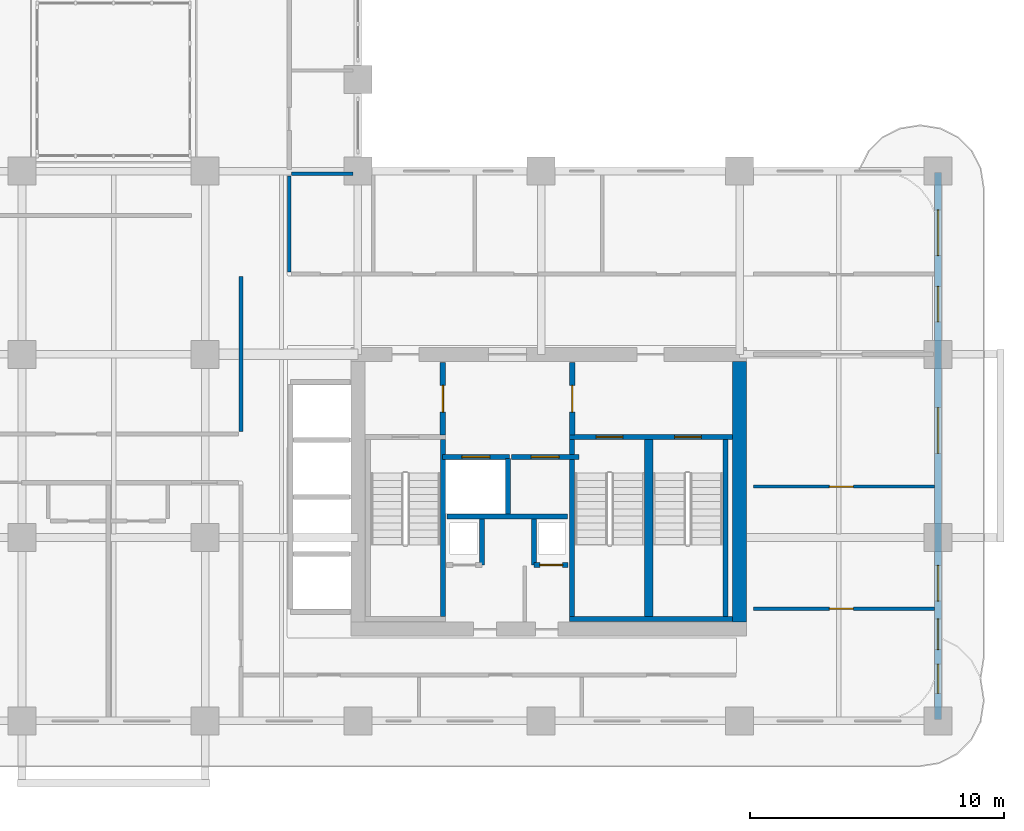
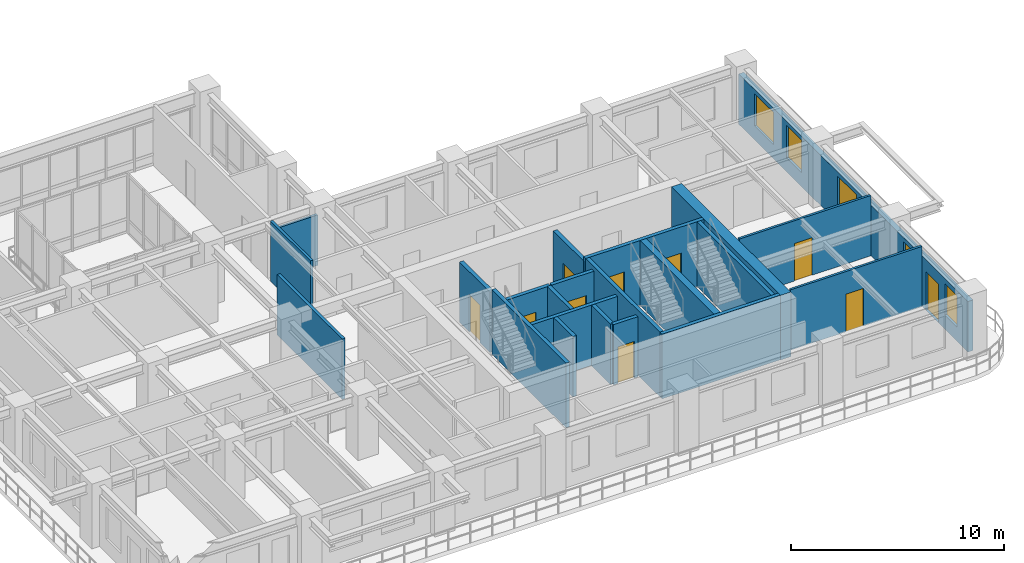
# One storey, part 14 of 22: 22 walls, 10 doors, 5 windows, 15 openings.
"""IFC4 building model written with IfcOpenShell, lengths in metres."""

from ifc_helpers import new_model, si_unit, derived_unit, direction, frame, frame_2d, origin, place, context, subcontext, project, spatial, rectangle, extrude, source, transform, mapped, material, layer, layer_set, type_object, type_shapes, element, fill, save


model = new_model("IFC4")

# Units and contexts
model_context = context("Model", 3, precision=1e-05, world=origin(), true_north=direction((0.0, 1.0)))
body_context = subcontext(model_context, "Body", "Model", "MODEL_VIEW")
ifc_project = project(units=[si_unit("LENGTHUNIT", "METRE"), si_unit("AREAUNIT", "SQUARE_METRE"), si_unit("VOLUMEUNIT", "CUBIC_METRE"), si_unit("PLANEANGLEUNIT", "RADIAN"), si_unit("MASSUNIT", "GRAM", prefix="KILO"), si_unit("THERMODYNAMICTEMPERATUREUNIT", "KELVIN"), si_unit("POWERUNIT", "WATT"), derived_unit("THERMALTRANSMITTANCEUNIT", [(si_unit("POWERUNIT", "WATT"), 1), (si_unit("AREAUNIT", "SQUARE_METRE"), -1), (si_unit("THERMODYNAMICTEMPERATUREUNIT", "KELVIN"), -1)])], contexts=[model_context])

# Site, building, storey
site_placement = place(None, origin())
site = spatial("IfcSite", under=ifc_project, at=site_placement, CompositionType="ELEMENT")
building_placement = place(site_placement, origin())
building = spatial("IfcBuilding", under=site, at=building_placement, Name="Zahravan Archway Hotel and Residences", CompositionType="ELEMENT")
storey_placement = place(building_placement, frame((0.0, 0.0, 73.10009765625)))
storey = spatial("IfcBuildingStorey", under=building, at=storey_placement, Name="L17", CompositionType="ELEMENT", Elevation=73.10009765625)

# Wall
ifc_material_1 = material(Name="Concrete C70/85", Category="concrete")
ifc_layer_1 = layer(ifc_material_1, 0.550048828125, Name="Concrete C70/85", Category="concrete")
ifc_layer_set_1 = layer_set([ifc_layer_1], Name="Concrete C70/85")
wall_type_1 = type_object("IfcWallType", Name="CW-CORE-550", PredefinedType="SHEAR", material=ifc_layer_set_1)
wall_1_placement = place(storey_placement, frame((49.800048828125, 3.875, 0.0), z_axis=(0.0, 0.0, 1.0), x_axis=(0.0, 1.0, 0.0)))
element("IfcWall", 1, at=wall_1_placement, inside=storey, type_object=wall_type_1, Name="L17 Core A Shear E Wall 550 mm", PredefinedType="SHEAR", context=body_context, shape_type="SweptSolid", body=[
    extrude(rectangle(XDim=10.25, YDim=0.550048828125, at=frame_2d((5.125, 0.0))), origin(), (0.0, 0.0, 1.0), 3.699951171875),
])

# Wall, openings, door, windows
ifc_material_2 = material(Name="Honed Red-Ochre Sandstone & Insulated Block", Category="masonry")
ifc_layer_2 = layer(ifc_material_2, 0.280029296875, Name="Honed Red-Ochre Sandstone & Insulated Block", Category="masonry")
ifc_layer_set_2 = layer_set([ifc_layer_2], Name="Honed Red-Ochre Sandstone & Insulated Block")
wall_type_2 = type_object("IfcWallType", Name="EW-LOG-280", PredefinedType="SOLIDWALL", material=ifc_layer_set_2)
wall_2_placement = place(storey_placement, frame((57.60009765625, 0.050048828125, 0.0), z_axis=(0.0, 0.0, 1.0), x_axis=(0.0, 1.0, 0.0)))
wall_2 = element("IfcWall", 2, at=wall_2_placement, inside=storey, type_object=wall_type_2, Name="L17 Exterior Sandstone Wall WA-E", PredefinedType="SOLIDWALL", context=body_context, shape_type="SweptSolid", body=[
    extrude(rectangle(XDim=21.5, YDim=0.280029296875, at=frame_2d((10.75, 0.0))), origin(), (0.0, 0.0, 1.0), 2.885009765625),
])
opening_1_placement = place(wall_2_placement, frame((2.75, 0.0, 0.0)))
opening_1 = element("IfcOpeningElement", 3, at=opening_1_placement, cuts=wall_2, Name="Opening ED-BL1", PredefinedType="OPENING", context=body_context, shape_type="SweptSolid", body=[
    extrude(rectangle(XDim=1.199951171875, YDim=2.199951171875, at=frame_2d((0.60009765625, 1.10009765625))), frame((0.0, 0.14990234375, 0.0), z_axis=(0.0, -1.0, 0.0), x_axis=(1.0, 0.0, 0.0)), (0.0, 0.0, 1.0), 0.300048828125),
])
opening_2_placement = place(wall_2_placement, frame((1.02490234375, 0.0, 0.800048828125)))
opening_2 = element("IfcOpeningElement", 4, at=opening_2_placement, cuts=wall_2, Name="Opening W-05", PredefinedType="OPENING", context=body_context, shape_type="SweptSolid", body=[
    extrude(rectangle(XDim=1.14990234375, YDim=1.800048828125, at=frame_2d((0.574951171875, 0.89990234375))), frame((0.0, 0.14990234375, 0.0), z_axis=(0.0, -1.0, 0.0), x_axis=(1.0, 0.0, 0.0)), (0.0, 0.0, 1.0), 0.300048828125),
])
opening_3_placement = place(wall_2_placement, frame((4.654052734375, 0.0, 0.800048828125)))
opening_3 = element("IfcOpeningElement", 5, at=opening_3_placement, cuts=wall_2, Name="Opening W-03", PredefinedType="OPENING", context=body_context, shape_type="SweptSolid", body=[
    extrude(rectangle(XDim=1.39990234375, YDim=1.85009765625, at=frame_2d((0.699951171875, 0.925048828125))), frame((0.0, 0.14990234375, 0.0), z_axis=(0.0, -1.0, 0.0), x_axis=(1.0, 0.0, 0.0)), (0.0, 0.0, 1.0), 0.300048828125),
])
opening_4_placement = place(wall_2_placement, frame((10.4541015625, 0.0, 0.800048828125)))
opening_4 = element("IfcOpeningElement", 6, at=opening_4_placement, cuts=wall_2, Name="Opening W-02", PredefinedType="OPENING", context=body_context, shape_type="SweptSolid", body=[
    extrude(rectangle(XDim=1.800048828125, YDim=1.85009765625, at=frame_2d((0.89990234375, 0.925048828125))), frame((0.0, 0.14990234375, 0.0), z_axis=(0.0, -1.0, 0.0), x_axis=(1.0, 0.0, 0.0)), (0.0, 0.0, 1.0), 0.300048828125),
])
opening_5_placement = place(wall_2_placement, frame((15.62109375, 0.0, 0.800048828125)))
opening_5 = element("IfcOpeningElement", 7, at=opening_5_placement, cuts=wall_2, Name="Opening W-03", PredefinedType="OPENING", context=body_context, shape_type="SweptSolid", body=[
    extrude(rectangle(XDim=1.39990234375, YDim=1.85009765625, at=frame_2d((0.699951171875, 0.925048828125))), frame((0.0, 0.14990234375, 0.0), z_axis=(0.0, -1.0, 0.0), x_axis=(1.0, 0.0, 0.0)), (0.0, 0.0, 1.0), 0.300048828125),
])
opening_6_placement = place(wall_2_placement, frame((18.22900390625, 0.0, 0.800048828125)))
opening_6 = element("IfcOpeningElement", 8, at=opening_6_placement, cuts=wall_2, Name="Opening W-02", PredefinedType="OPENING", context=body_context, shape_type="SweptSolid", body=[
    extrude(rectangle(XDim=1.800048828125, YDim=1.85009765625, at=frame_2d((0.89990234375, 0.925048828125))), frame((0.0, 0.14990234375, 0.0), z_axis=(0.0, -1.0, 0.0), x_axis=(1.0, 0.0, 0.0)), (0.0, 0.0, 1.0), 0.300048828125),
])
ifc_material_3 = material(Name="Bronze-Anodized Glazed Aluminium", Category="aluminium")
door_type_1 = type_object("IfcDoorType", Name="ED-BALC-1200", OperationType="SLIDING_TO_LEFT", PredefinedType="DOOR", material=ifc_material_3)
shared_shape_1 = source(origin(), body_context, "Body", "SweptSolid", [
    extrude(rectangle(XDim=1.199951171875, YDim=2.199951171875, at=frame_2d((0.60009765625, 1.10009765625))), frame((0.0, 0.02490234375, 0.0), z_axis=(0.0, -1.0, 0.0), x_axis=(1.0, 0.0, 0.0)), (0.0, 0.0, 1.0), 0.050048828125),
])
type_shapes(door_type_1, [shared_shape_1])
door_1_placement = place(opening_1_placement, origin())
door_1 = element("IfcDoor", 9, at=door_1_placement, inside=storey, type_object=door_type_1, Name="L17 Outdoor Access Sliding Door (SLB-BAL-L17-EA)", OperationType="SLIDING_TO_LEFT", OverallHeight=2.199951171875, OverallWidth=1.199951171875, PredefinedType="DOOR", context=body_context, shape_type="MappedRepresentation", body=[
    mapped(shared_shape_1, transform((0.0, 0.0, 0.0), scale=1.0)),
])
fill(opening_1, door_1)
ifc_material_4 = material(Name="Bronze-Anodized Thermal-Break Aluminium & Low-E Glass", Category="aluminium")
window_type_1 = type_object("IfcWindowType", Name="WIN-TWR-1400", PartitioningType="SINGLE_PANEL", PredefinedType="WINDOW", material=ifc_material_4)
shared_shape_2 = source(origin(), body_context, "Body", "SweptSolid", [
    extrude(rectangle(XDim=1.39990234375, YDim=1.85009765625, at=frame_2d((0.699951171875, 0.925048828125))), frame((0.0, 0.030029296875, 0.0), z_axis=(0.0, -1.0, 0.0), x_axis=(1.0, 0.0, 0.0)), (0.0, 0.0, 1.0), 0.06005859375),
])
type_shapes(window_type_1, [shared_shape_2])
window_1_placement = place(opening_3_placement, origin())
window_1 = element("IfcWindow", 10, at=window_1_placement, inside=storey, type_object=window_type_1, Name="L17 Loggia Window 13", OverallHeight=1.85009765625, OverallWidth=1.39990234375, PartitioningType="SINGLE_PANEL", PredefinedType="WINDOW", context=body_context, shape_type="MappedRepresentation", body=[
    mapped(shared_shape_2, transform((0.0, 0.0, 0.0), scale=1.0)),
])
fill(opening_3, window_1)
window_2_placement = place(opening_5_placement, origin())
window_2 = element("IfcWindow", 11, at=window_2_placement, inside=storey, type_object=window_type_1, Name="L17 Loggia Window 15", OverallHeight=1.85009765625, OverallWidth=1.39990234375, PartitioningType="SINGLE_PANEL", PredefinedType="WINDOW", context=body_context, shape_type="MappedRepresentation", body=[
    mapped(shared_shape_2, transform((0.0, 0.0, 0.0), scale=1.0)),
])
fill(opening_5, window_2)
window_type_2 = type_object("IfcWindowType", Name="WIN-TWR-1800", PartitioningType="DOUBLE_PANEL_VERTICAL", PredefinedType="WINDOW", material=ifc_material_4)
shared_shape_3 = source(origin(), body_context, "Body", "SweptSolid", [
    extrude(rectangle(XDim=1.800048828125, YDim=1.85009765625, at=frame_2d((0.89990234375, 0.925048828125))), frame((0.0, 0.030029296875, 0.0), z_axis=(0.0, -1.0, 0.0), x_axis=(1.0, 0.0, 0.0)), (0.0, 0.0, 1.0), 0.06005859375),
])
type_shapes(window_type_2, [shared_shape_3])
window_3_placement = place(opening_4_placement, origin())
window_3 = element("IfcWindow", 12, at=window_3_placement, inside=storey, type_object=window_type_2, Name="L17 Loggia Window 14", OverallHeight=1.85009765625, OverallWidth=1.800048828125, PartitioningType="DOUBLE_PANEL_VERTICAL", PredefinedType="WINDOW", context=body_context, shape_type="MappedRepresentation", body=[
    mapped(shared_shape_3, transform((0.0, 0.0, 0.0), scale=1.0)),
])
fill(opening_4, window_3)
window_4_placement = place(opening_6_placement, origin())
window_4 = element("IfcWindow", 13, at=window_4_placement, inside=storey, type_object=window_type_2, Name="L17 Loggia Window 16", OverallHeight=1.85009765625, OverallWidth=1.800048828125, PartitioningType="DOUBLE_PANEL_VERTICAL", PredefinedType="WINDOW", context=body_context, shape_type="MappedRepresentation", body=[
    mapped(shared_shape_3, transform((0.0, 0.0, 0.0), scale=1.0)),
])
fill(opening_6, window_4)
window_type_3 = type_object("IfcWindowType", Name="WIN-TWR-1150", PartitioningType="SINGLE_PANEL", PredefinedType="WINDOW", material=ifc_material_4)
shared_shape_4 = source(origin(), body_context, "Body", "SweptSolid", [
    extrude(rectangle(XDim=1.14990234375, YDim=1.800048828125, at=frame_2d((0.574951171875, 0.89990234375))), frame((0.0, 0.030029296875, 0.0), z_axis=(0.0, -1.0, 0.0), x_axis=(1.0, 0.0, 0.0)), (0.0, 0.0, 1.0), 0.06005859375),
])
type_shapes(window_type_3, [shared_shape_4])
window_5_placement = place(opening_2_placement, origin())
window_5 = element("IfcWindow", 14, at=window_5_placement, inside=storey, type_object=window_type_3, Name="L17 Loggia Window 12", OverallHeight=1.800048828125, OverallWidth=1.14990234375, PartitioningType="SINGLE_PANEL", PredefinedType="WINDOW", context=body_context, shape_type="MappedRepresentation", body=[
    mapped(shared_shape_4, transform((0.0, 0.0, 0.0), scale=1.0)),
])
fill(opening_2, window_5)

# Wall, opening, door
ifc_material_5 = material(Name="Fire-Rated Gypsum & Concrete Block", Category="concrete")
ifc_layer_3 = layer(ifc_material_5, 0.219970703125, Name="Fire-Rated Gypsum & Concrete Block", Category="concrete")
ifc_layer_set_3 = layer_set([ifc_layer_3], Name="Fire-Rated Gypsum & Concrete Block")
wall_type_3 = type_object("IfcWallType", Name="PW-COMP-220", PredefinedType="PARTITIONING", material=ifc_layer_set_3)
wall_3_placement = place(storey_placement, frame((38.139892578125, 11.219970703125, 0.0), z_axis=(0.0, 0.0, 1.0), x_axis=(0.0, 1.0, 0.0)))
wall_3 = element("IfcWall", 15, at=wall_3_placement, inside=storey, type_object=wall_type_3, Name="L17 Partition CA-LOBW", PredefinedType="PARTITIONING", context=body_context, shape_type="SweptSolid", body=[
    extrude(rectangle(XDim=2.860107421875, YDim=0.219970703125, at=frame_2d((1.43017578125, 0.0))), origin(), (0.0, 0.0, 1.0), 3.449951171875),
])
opening_7_placement = place(wall_3_placement, frame((0.905029296875, 0.0, 0.0)))
opening_7 = element("IfcOpeningElement", 16, at=opening_7_placement, cuts=wall_3, Name="Opening FD-L2", PredefinedType="OPENING", context=body_context, shape_type="SweptSolid", body=[
    extrude(rectangle(XDim=1.050048828125, YDim=2.14990234375, at=frame_2d((0.52490234375, 1.074951171875))), frame((0.0, 0.1201171875, 0.0), z_axis=(0.0, -1.0, 0.0), x_axis=(1.0, 0.0, 0.0)), (0.0, 0.0, 1.0), 0.239990234375),
])
ifc_material_6 = material(Name="Fire-Rated Painted Steel", Category="steel")
door_type_2 = type_object("IfcDoorType", Name="FD-LOBBY-1100", OperationType="NOTDEFINED", PredefinedType="DOOR", material=ifc_material_6)
shared_shape_5 = source(origin(), body_context, "Body", "SweptSolid", [
    extrude(rectangle(XDim=1.050048828125, YDim=2.14990234375, at=frame_2d((0.52490234375, 1.074951171875))), frame((0.0, 0.02490234375, 0.0), z_axis=(0.0, -1.0, 0.0), x_axis=(1.0, 0.0, 0.0)), (0.0, 0.0, 1.0), 0.050048828125),
])
type_shapes(door_type_2, [shared_shape_5])
door_2_placement = place(opening_7_placement, origin())
door_2 = element("IfcDoor", 17, at=door_2_placement, inside=storey, type_object=door_type_2, Name="L17 Core A West Stair to FSAE Lobby Door", OperationType="SINGLE_SWING_RIGHT", OverallHeight=2.14990234375, OverallWidth=1.050048828125, PredefinedType="DOOR", context=body_context, shape_type="MappedRepresentation", body=[
    mapped(shared_shape_5, transform((0.0, 0.0, 0.0), scale=1.0)),
])
fill(opening_7, door_2)

wall_4_placement = place(storey_placement, frame((43.219970703125, 11.219970703125, 0.0), z_axis=(0.0, 0.0, 1.0), x_axis=(0.0, 1.0, 0.0)))
wall_4 = element("IfcWall", 18, at=wall_4_placement, inside=storey, type_object=wall_type_3, Name="L17 Partition CA-LOBE", PredefinedType="PARTITIONING", context=body_context, shape_type="SweptSolid", body=[
    extrude(rectangle(XDim=2.860107421875, YDim=0.219970703125, at=frame_2d((1.43017578125, 0.0))), origin(), (0.0, 0.0, 1.0), 3.449951171875),
])
opening_8_placement = place(wall_4_placement, frame((0.905029296875, 0.0, 0.0)))
opening_8 = element("IfcOpeningElement", 19, at=opening_8_placement, cuts=wall_4, Name="Opening FD-L2", PredefinedType="OPENING", context=body_context, shape_type="SweptSolid", body=[
    extrude(rectangle(XDim=1.050048828125, YDim=2.14990234375, at=frame_2d((0.52490234375, 1.074951171875))), frame((0.0, 0.1201171875, 0.0), z_axis=(0.0, -1.0, 0.0), x_axis=(1.0, 0.0, 0.0)), (0.0, 0.0, 1.0), 0.239990234375),
])
door_3_placement = place(opening_8_placement, origin())
door_3 = element("IfcDoor", 20, at=door_3_placement, inside=storey, type_object=door_type_2, Name="L17 Core A East Stair to FSAE Lobby Door", OperationType="SINGLE_SWING_LEFT", OverallHeight=2.14990234375, OverallWidth=1.050048828125, PredefinedType="DOOR", context=body_context, shape_type="MappedRepresentation", body=[
    mapped(shared_shape_5, transform((0.0, 0.0, 0.0), scale=1.0)),
])
fill(opening_8, door_3)

# Wall
ifc_layer_4 = layer(ifc_material_5, 0.159912109375, Name="Fire-Rated Gypsum & Concrete Block", Category="concrete")
ifc_layer_set_4 = layer_set([ifc_layer_4], Name="Fire-Rated Gypsum & Concrete Block")
wall_type_4 = type_object("IfcWallType", Name="PW-CORR-160", PredefinedType="PARTITIONING", material=ifc_layer_set_4)
wall_5_placement = place(storey_placement, frame((30.199951171875, 11.360107421875, 0.0), z_axis=(0.0, 0.0, 1.0), x_axis=(0.0, 1.0, 0.0)))
element("IfcWall", 21, at=wall_5_placement, inside=storey, type_object=wall_type_4, Name="L17 Partition WA-FW", PredefinedType="PARTITIONING", context=body_context, shape_type="SweptSolid", body=[
    extrude(rectangle(XDim=6.099853515625, YDim=0.159912109375, at=frame_2d((3.0498046875, 0.0))), origin(), (0.0, 0.0, 1.0), 3.449951171875),
])

# Wall, opening, door
ifc_material_7 = material(Name="Acoustic Stud Partition")
ifc_layer_5 = layer(ifc_material_7, 0.125, Name="Acoustic Stud Partition")
ifc_layer_set_5 = layer_set([ifc_layer_5], Name="Acoustic Stud Partition")
wall_type_5 = type_object("IfcWallType", Name="PW-INT-125", PredefinedType="PARTITIONING", material=ifc_layer_set_5)
wall_6_placement = place(storey_placement, frame((50.340087890625, 9.199951171875, 0.0), z_axis=(0.0, 0.0, 1.0), x_axis=(1.0, 0.0, 0.0)))
wall_6 = element("IfcWall", 22, at=wall_6_placement, inside=storey, type_object=wall_type_5, Name="L17 Partition EA-EH1", PredefinedType="PARTITIONING", context=body_context, shape_type="SweptSolid", body=[
    extrude(rectangle(XDim=7.11181640625, YDim=0.125, at=frame_2d((3.555908203125, 0.0))), origin(), (0.0, 0.0, 1.0), 3.449951171875),
])
opening_9_placement = place(wall_6_placement, frame((2.985107421875, 0.0, 0.0)))
opening_9 = element("IfcOpeningElement", 23, at=opening_9_placement, cuts=wall_6, Name="Opening D-I1", PredefinedType="OPENING", context=body_context, shape_type="SweptSolid", body=[
    extrude(rectangle(XDim=0.949951171875, YDim=2.14990234375, at=frame_2d((0.47509765625, 1.074951171875))), frame((0.0, 0.072509765625, 0.0), z_axis=(0.0, -1.0, 0.0), x_axis=(1.0, 0.0, 0.0)), (0.0, 0.0, 1.0), 0.14501953125),
])
ifc_material_8 = material(Name="Hardwood Veneer Timber", Category="wood")
door_type_3 = type_object("IfcDoorType", Name="ID-INT-950", OperationType="NOTDEFINED", PredefinedType="DOOR", material=ifc_material_8)
shared_shape_6 = source(origin(), body_context, "Body", "SweptSolid", [
    extrude(rectangle(XDim=0.949951171875, YDim=2.14990234375, at=frame_2d((0.47509765625, 1.074951171875))), frame((0.0, 0.02490234375, 0.0), z_axis=(0.0, -1.0, 0.0), x_axis=(1.0, 0.0, 0.0)), (0.0, 0.0, 1.0), 0.050048828125),
])
type_shapes(door_type_3, [shared_shape_6])
door_4_placement = place(opening_9_placement, origin())
door_4 = element("IfcDoor", 24, at=door_4_placement, inside=storey, type_object=door_type_3, Name="L17 East Study Lounge Door", OperationType="SINGLE_SWING_LEFT", OverallHeight=2.14990234375, OverallWidth=0.949951171875, PredefinedType="DOOR", context=body_context, shape_type="MappedRepresentation", body=[
    mapped(shared_shape_6, transform((0.0, 0.0, 0.0), scale=1.0)),
])
fill(opening_9, door_4)

wall_7_placement = place(storey_placement, frame((50.340087890625, 4.39990234375, 0.0), z_axis=(0.0, 0.0, 1.0), x_axis=(1.0, 0.0, 0.0)))
wall_7 = element("IfcWall", 25, at=wall_7_placement, inside=storey, type_object=wall_type_5, Name="L17 Partition EA-EH2", PredefinedType="PARTITIONING", context=body_context, shape_type="SweptSolid", body=[
    extrude(rectangle(XDim=7.11181640625, YDim=0.125, at=frame_2d((3.555908203125, 0.0))), origin(), (0.0, 0.0, 1.0), 3.449951171875),
])
opening_10_placement = place(wall_7_placement, frame((2.985107421875, 0.0, 0.0)))
opening_10 = element("IfcOpeningElement", 26, at=opening_10_placement, cuts=wall_7, Name="Opening D-I1", PredefinedType="OPENING", context=body_context, shape_type="SweptSolid", body=[
    extrude(rectangle(XDim=0.949951171875, YDim=2.14990234375, at=frame_2d((0.47509765625, 1.074951171875))), frame((0.0, 0.072509765625, 0.0), z_axis=(0.0, -1.0, 0.0), x_axis=(1.0, 0.0, 0.0)), (0.0, 0.0, 1.0), 0.14501953125),
])
door_5_placement = place(opening_10_placement, origin())
door_5 = element("IfcDoor", 27, at=door_5_placement, inside=storey, type_object=door_type_3, Name="L17 East Clinic Consult Door", OperationType="SINGLE_SWING_RIGHT", OverallHeight=2.14990234375, OverallWidth=0.949951171875, PredefinedType="DOOR", context=body_context, shape_type="MappedRepresentation", body=[
    mapped(shared_shape_6, transform((0.0, 0.0, 0.0), scale=1.0)),
])
fill(opening_10, door_5)

# Walls
ifc_layer_6 = layer(ifc_material_5, 0.199951171875, Name="Fire-Rated Gypsum & Concrete Block", Category="concrete")
ifc_layer_set_6 = layer_set([ifc_layer_6], Name="Fire-Rated Gypsum & Concrete Block")
wall_type_6 = type_object("IfcWallType", Name="PW-SHAFT-200", PredefinedType="PARTITIONING", material=ifc_layer_set_6)
wall_8_placement = place(storey_placement, frame((38.300048828125, 8.030029296875, 0.0), z_axis=(0.0, 0.0, 1.0), x_axis=(1.0, 0.0, 0.0)))
element("IfcWall", 28, at=wall_8_placement, inside=storey, type_object=wall_type_6, Name="L17 Partition CA-FLS", PredefinedType="PARTITIONING", context=body_context, shape_type="SweptSolid", body=[
    extrude(rectangle(XDim=4.739990234375, YDim=0.199951171875, at=frame_2d((2.3701171875, 0.0))), origin(), (0.0, 0.0, 1.0), 3.449951171875),
])
wall_9_placement = place(storey_placement, frame((40.699951171875, 8.1201171875, 0.0), z_axis=(0.0, 0.0, 1.0), x_axis=(0.0, 1.0, 0.0)))
element("IfcWall", 29, at=wall_9_placement, inside=storey, type_object=wall_type_6, Name="L17 Partition CA-FLM", PredefinedType="PARTITIONING", context=body_context, shape_type="SweptSolid", body=[
    extrude(rectangle(XDim=2.179931640625, YDim=0.199951171875, at=frame_2d((1.08984375, 0.0))), origin(), (0.0, 0.0, 1.0), 3.449951171875),
])
wall_10_placement = place(storey_placement, frame((39.679931640625, 6.1298828125, 0.0), z_axis=(0.0, 0.0, 1.0), x_axis=(0.0, 1.0, 0.0)))
element("IfcWall", 30, at=wall_10_placement, inside=storey, type_object=wall_type_6, Name="L17 Partition CA-SMKE", PredefinedType="PARTITIONING", context=body_context, shape_type="SweptSolid", body=[
    extrude(rectangle(XDim=1.7900390625, YDim=0.199951171875, at=frame_2d((0.89501953125, 0.0))), origin(), (0.0, 0.0, 1.0), 3.449951171875),
])

# Wall, opening, door
wall_11_placement = place(storey_placement, frame((41.72998046875, 6.1201171875, 0.0), z_axis=(0.0, 0.0, 1.0), x_axis=(1.0, 0.0, 0.0)))
wall_11 = element("IfcWall", 31, at=wall_11_placement, inside=storey, type_object=wall_type_6, Name="L17 Partition CA-MEPS", PredefinedType="PARTITIONING", context=body_context, shape_type="SweptSolid", body=[
    extrude(rectangle(XDim=1.320068359375, YDim=0.199951171875, at=frame_2d((0.66015625, 0.0))), origin(), (0.0, 0.0, 1.0), 3.449951171875),
])
opening_11_placement = place(wall_11_placement, frame((0.219970703125, 0.0, 0.0)))
opening_11 = element("IfcOpeningElement", 32, at=opening_11_placement, cuts=wall_11, Name="Opening FD-R1", PredefinedType="OPENING", context=body_context, shape_type="SweptSolid", body=[
    extrude(rectangle(XDim=0.89990234375, YDim=2.10009765625, at=frame_2d((0.449951171875, 1.050048828125))), frame((0.0, 0.10986328125, 0.0), z_axis=(0.0, -1.0, 0.0), x_axis=(1.0, 0.0, 0.0)), (0.0, 0.0, 1.0), 0.219970703125),
])
door_type_4 = type_object("IfcDoorType", Name="FD-RISER-900", OperationType="NOTDEFINED", PredefinedType="DOOR", material=ifc_material_6)
shared_shape_7 = source(origin(), body_context, "Body", "SweptSolid", [
    extrude(rectangle(XDim=0.89990234375, YDim=2.10009765625, at=frame_2d((0.449951171875, 1.050048828125))), frame((0.0, 0.02490234375, 0.0), z_axis=(0.0, -1.0, 0.0), x_axis=(1.0, 0.0, 0.0)), (0.0, 0.0, 1.0), 0.050048828125),
])
type_shapes(door_type_4, [shared_shape_7])
door_6_placement = place(opening_11_placement, origin())
door_6 = element("IfcDoor", 33, at=door_6_placement, inside=storey, type_object=door_type_4, Name="L17 MEP Riser Access Door", OperationType="SINGLE_SWING_LEFT", OverallHeight=2.10009765625, OverallWidth=0.89990234375, PredefinedType="DOOR", context=body_context, shape_type="MappedRepresentation", body=[
    mapped(shared_shape_7, transform((0.0, 0.0, 0.0), scale=1.0)),
])
fill(opening_11, door_6)

# Wall
wall_12_placement = place(storey_placement, frame((41.719970703125, 6.1298828125, 0.0), z_axis=(0.0, 0.0, 1.0), x_axis=(0.0, 1.0, 0.0)))
element("IfcWall", 34, at=wall_12_placement, inside=storey, type_object=wall_type_6, Name="L17 Partition CA-MEPW", PredefinedType="PARTITIONING", context=body_context, shape_type="SweptSolid", body=[
    extrude(rectangle(XDim=1.7900390625, YDim=0.199951171875, at=frame_2d((0.89501953125, 0.0))), origin(), (0.0, 0.0, 1.0), 3.449951171875),
])

# Wall, opening, door
wall_13_placement = place(storey_placement, frame((38.1201171875, 10.3701171875, 0.0), z_axis=(0.0, 0.0, 1.0), x_axis=(1.0, 0.0, 0.0)))
wall_13 = element("IfcWall", 35, at=wall_13_placement, inside=storey, type_object=wall_type_6, Name="L17 Lift FL-1 Front Wall", PredefinedType="PARTITIONING", context=body_context, shape_type="SweptSolid", body=[
    extrude(rectangle(XDim=2.639892578125, YDim=0.199951171875, at=frame_2d((1.31982421875, 0.0))), origin(), (0.0, 0.0, 1.0), 3.449951171875),
])
opening_12_placement = place(wall_13_placement, frame((0.77001953125, 0.0, 0.0)))
opening_12 = element("IfcOpeningElement", 36, at=opening_12_placement, cuts=wall_13, Name="Opening LD", PredefinedType="OPENING", context=body_context, shape_type="SweptSolid", body=[
    extrude(rectangle(XDim=1.10009765625, YDim=2.199951171875, at=frame_2d((0.550048828125, 1.10009765625))), frame((0.0, 0.10986328125, 0.0), z_axis=(0.0, -1.0, 0.0), x_axis=(1.0, 0.0, 0.0)), (0.0, 0.0, 1.0), 0.219970703125),
])
ifc_material_9 = material(Name="Brushed Stainless Steel", Category="steel")
door_type_5 = type_object("IfcDoorType", Name="DR-LIFT-LD", OperationType="SLIDING_TO_LEFT", PredefinedType="DOOR", material=ifc_material_9)
shared_shape_8 = source(origin(), body_context, "Body", "SweptSolid", [
    extrude(rectangle(XDim=1.10009765625, YDim=2.199951171875, at=frame_2d((0.550048828125, 1.10009765625))), frame((0.0, 0.02490234375, 0.0), z_axis=(0.0, -1.0, 0.0), x_axis=(1.0, 0.0, 0.0)), (0.0, 0.0, 1.0), 0.050048828125),
])
type_shapes(door_type_5, [shared_shape_8])
door_7_placement = place(opening_12_placement, origin())
door_7 = element("IfcDoor", 37, at=door_7_placement, inside=storey, type_object=door_type_5, Name="L17 Lift FL-1 Sliding Landing Door", OperationType="SLIDING_TO_LEFT", OverallHeight=2.199951171875, OverallWidth=1.10009765625, PredefinedType="DOOR", context=body_context, shape_type="MappedRepresentation", body=[
    mapped(shared_shape_8, transform((0.0, 0.0, 0.0), scale=1.0)),
])
fill(opening_12, door_7)

wall_14_placement = place(storey_placement, frame((40.840087890625, 10.3701171875, 0.0), z_axis=(0.0, 0.0, 1.0), x_axis=(1.0, 0.0, 0.0)))
wall_14 = element("IfcWall", 38, at=wall_14_placement, inside=storey, type_object=wall_type_6, Name="L17 Lift FL-2 Front Wall", PredefinedType="PARTITIONING", context=body_context, shape_type="SweptSolid", body=[
    extrude(rectangle(XDim=2.639892578125, YDim=0.199951171875, at=frame_2d((1.31982421875, 0.0))), origin(), (0.0, 0.0, 1.0), 3.449951171875),
])
opening_13_placement = place(wall_14_placement, frame((0.77001953125, 0.0, 0.0)))
opening_13 = element("IfcOpeningElement", 39, at=opening_13_placement, cuts=wall_14, Name="Opening LD", PredefinedType="OPENING", context=body_context, shape_type="SweptSolid", body=[
    extrude(rectangle(XDim=1.10009765625, YDim=2.199951171875, at=frame_2d((0.550048828125, 1.10009765625))), frame((0.0, 0.10986328125, 0.0), z_axis=(0.0, -1.0, 0.0), x_axis=(1.0, 0.0, 0.0)), (0.0, 0.0, 1.0), 0.219970703125),
])
door_8_placement = place(opening_13_placement, origin())
door_8 = element("IfcDoor", 40, at=door_8_placement, inside=storey, type_object=door_type_5, Name="L17 Lift FL-2 Sliding Landing Door", OperationType="SLIDING_TO_LEFT", OverallHeight=2.199951171875, OverallWidth=1.10009765625, PredefinedType="DOOR", context=body_context, shape_type="MappedRepresentation", body=[
    mapped(shared_shape_8, transform((0.0, 0.0, 0.0), scale=1.0)),
])
fill(opening_13, door_8)

# Walls
ifc_material_10 = material(Name="Moisture-Resistant Blockwork", Category="masonry")
ifc_layer_7 = layer(ifc_material_10, 0.139892578125, Name="Moisture-Resistant Blockwork", Category="masonry")
ifc_layer_set_7 = layer_set([ifc_layer_7], Name="Moisture-Resistant Blockwork")
wall_type_7 = type_object("IfcWallType", Name="PW-WET-140", PredefinedType="PARTITIONING", material=ifc_layer_set_7)
wall_15_placement = place(storey_placement, frame((32.10009765625, 17.639892578125, 0.0), z_axis=(0.0, 0.0, 1.0), x_axis=(0.0, 1.0, 0.0)))
element("IfcWall", 41, at=wall_15_placement, inside=storey, type_object=wall_type_7, Name="L17 Partition NE-W0", PredefinedType="PARTITIONING", context=body_context, shape_type="SweptSolid", body=[
    extrude(rectangle(XDim=3.77001953125, YDim=0.139892578125, at=frame_2d((1.885009765625, 0.0))), origin(), (0.0, 0.0, 1.0), 3.449951171875),
])
wall_16_placement = place(storey_placement, frame((32.18994140625, 21.5, 0.0), z_axis=(0.0, 0.0, 1.0), x_axis=(1.0, 0.0, 0.0)))
element("IfcWall", 42, at=wall_16_placement, inside=storey, type_object=wall_type_7, Name="L17 Partition ATR-ES", PredefinedType="PARTITIONING", context=body_context, shape_type="SweptSolid", body=[
    extrude(rectangle(XDim=2.420166015625, YDim=0.139892578125, at=frame_2d((1.2099609375, 0.0))), origin(), (0.0, 0.0, 1.0), 2.885009765625),
])
ifc_material_11 = material(Name="Concrete C50/60", Category="concrete")
ifc_layer_8 = layer(ifc_material_11, 0.199951171875, Name="Concrete C50/60", Category="concrete")
ifc_layer_set_8 = layer_set([ifc_layer_8], Name="Concrete C50/60")
wall_type_8 = type_object("IfcWallType", Name="SW-STAIR-200", PredefinedType="SHEAR", material=ifc_layer_set_8)
wall_17_placement = place(storey_placement, frame((38.139892578125, 4.10009765625, 0.0), z_axis=(0.0, 0.0, 1.0), x_axis=(0.0, 1.0, 0.0)))
element("IfcWall", 43, at=wall_17_placement, inside=storey, type_object=wall_type_8, Name="L17 Stairwell RC Wall CA-SA1E", PredefinedType="SHEAR", context=body_context, shape_type="SweptSolid", body=[
    extrude(rectangle(XDim=6.949951171875, YDim=0.199951171875, at=frame_2d((3.47509765625, 0.0))), origin(), (0.0, 0.0, 1.0), 3.699951171875),
])
wall_18_placement = place(storey_placement, frame((43.1201171875, 4.0, 0.0), z_axis=(0.0, 0.0, 1.0), x_axis=(1.0, 0.0, 0.0)))
element("IfcWall", 44, at=wall_18_placement, inside=storey, type_object=wall_type_8, Name="L17 Stairwell RC Wall CA-SA23S", PredefinedType="SHEAR", context=body_context, shape_type="SweptSolid", body=[
    extrude(rectangle(XDim=6.40478515625, YDim=0.199951171875, at=frame_2d((3.202392578125, 0.0))), origin(), (0.0, 0.0, 1.0), 3.699951171875),
])
for number, where, z_axis, x_axis, name in (
    (45, (43.219970703125, 4.10009765625, 0.0), (0.0, 0.0, 1.0), (0.0, 1.0, 0.0), "L17 Stairwell RC Wall CA-SA2W"),
    (46, (49.239990234375, 4.10009765625, 0.0), (0.0, 0.0, 1.0), (0.0, 1.0, 0.0), "L17 Stairwell RC Wall CA-SA3E"),
):
    element("IfcWall", number, at=place(storey_placement, frame(where, z_axis=z_axis, x_axis=x_axis)), inside=storey, type_object=wall_type_8, Name=name, PredefinedType="SHEAR", context=body_context, shape_type="SweptSolid", body=[
        extrude(rectangle(XDim=6.949951171875, YDim=0.199951171875, at=frame_2d((3.47509765625, 0.0))), origin(), (0.0, 0.0, 1.0), 3.699951171875),
    ])

# Wall, openings, doors
wall_19_placement = place(storey_placement, frame((43.1201171875, 11.14990234375, 0.0), z_axis=(0.0, 0.0, 1.0), x_axis=(1.0, 0.0, 0.0)))
wall_19 = element("IfcWall", 47, at=wall_19_placement, inside=storey, type_object=wall_type_8, Name="L17 Stairwell RC Wall CA-SA23N", PredefinedType="SHEAR", context=body_context, shape_type="SweptSolid", body=[
    extrude(rectangle(XDim=6.40478515625, YDim=0.199951171875, at=frame_2d((3.202392578125, 0.0))), origin(), (0.0, 0.0, 1.0), 3.699951171875),
])
opening_14_placement = place(wall_19_placement, frame((1.044921875, 0.0, 0.0)))
opening_14 = element("IfcOpeningElement", 48, at=opening_14_placement, cuts=wall_19, Name="Opening FD-S1", PredefinedType="OPENING", context=body_context, shape_type="SweptSolid", body=[
    extrude(rectangle(XDim=1.050048828125, YDim=2.199951171875, at=frame_2d((0.52490234375, 1.10009765625))), frame((0.0, 0.10986328125, 0.0), z_axis=(0.0, -1.0, 0.0), x_axis=(1.0, 0.0, 0.0)), (0.0, 0.0, 1.0), 0.219970703125),
])
opening_15_placement = place(wall_19_placement, frame((4.125, 0.0, 0.0)))
opening_15 = element("IfcOpeningElement", 49, at=opening_15_placement, cuts=wall_19, Name="Opening FD-S1", PredefinedType="OPENING", context=body_context, shape_type="SweptSolid", body=[
    extrude(rectangle(XDim=1.050048828125, YDim=2.199951171875, at=frame_2d((0.52490234375, 1.10009765625))), frame((0.0, 0.10986328125, 0.0), z_axis=(0.0, -1.0, 0.0), x_axis=(1.0, 0.0, 0.0)), (0.0, 0.0, 1.0), 0.219970703125),
])
door_type_6 = type_object("IfcDoorType", Name="FD-STAIR-1100", OperationType="NOTDEFINED", PredefinedType="DOOR", material=ifc_material_6)
shared_shape_9 = source(origin(), body_context, "Body", "SweptSolid", [
    extrude(rectangle(XDim=1.050048828125, YDim=2.199951171875, at=frame_2d((0.52490234375, 1.10009765625))), frame((0.0, 0.02490234375, 0.0), z_axis=(0.0, -1.0, 0.0), x_axis=(1.0, 0.0, 0.0)), (0.0, 0.0, 1.0), 0.050048828125),
])
type_shapes(door_type_6, [shared_shape_9])
door_9_placement = place(opening_14_placement, origin())
door_9 = element("IfcDoor", 50, at=door_9_placement, inside=storey, type_object=door_type_6, Name="L17 Stair ST-A2 Door", OperationType="SINGLE_SWING_RIGHT", OverallHeight=2.199951171875, OverallWidth=1.050048828125, PredefinedType="DOOR", context=body_context, shape_type="MappedRepresentation", body=[
    mapped(shared_shape_9, transform((0.0, 0.0, 0.0), scale=1.0)),
])
fill(opening_14, door_9)
door_10_placement = place(opening_15_placement, origin())
door_10 = element("IfcDoor", 51, at=door_10_placement, inside=storey, type_object=door_type_6, Name="L17 Stair ST-A3 Door", OperationType="SINGLE_SWING_LEFT", OverallHeight=2.199951171875, OverallWidth=1.050048828125, PredefinedType="DOOR", context=body_context, shape_type="MappedRepresentation", body=[
    mapped(shared_shape_9, transform((0.0, 0.0, 0.0), scale=1.0)),
])
fill(opening_15, door_10)

# Wall
ifc_layer_9 = layer(ifc_material_11, 0.340087890625, Name="Concrete C50/60", Category="concrete")
ifc_layer_set_9 = layer_set([ifc_layer_9], Name="Concrete C50/60")
wall_type_9 = type_object("IfcWallType", Name="SW-STAIR-340", PredefinedType="SHEAR", material=ifc_layer_set_9)
wall_20_placement = place(storey_placement, frame((46.22998046875, 4.10009765625, 0.0), z_axis=(0.0, 0.0, 1.0), x_axis=(0.0, 1.0, 0.0)))
element("IfcWall", 52, at=wall_20_placement, inside=storey, type_object=wall_type_9, Name="L17 Stairwell RC Wall CA-SA23M", PredefinedType="SHEAR", context=body_context, shape_type="SweptSolid", body=[
    extrude(rectangle(XDim=6.949951171875, YDim=0.340087890625, at=frame_2d((3.47509765625, 0.0))), origin(), (0.0, 0.0, 1.0), 3.699951171875),
])

save(model, "model.ifc")
